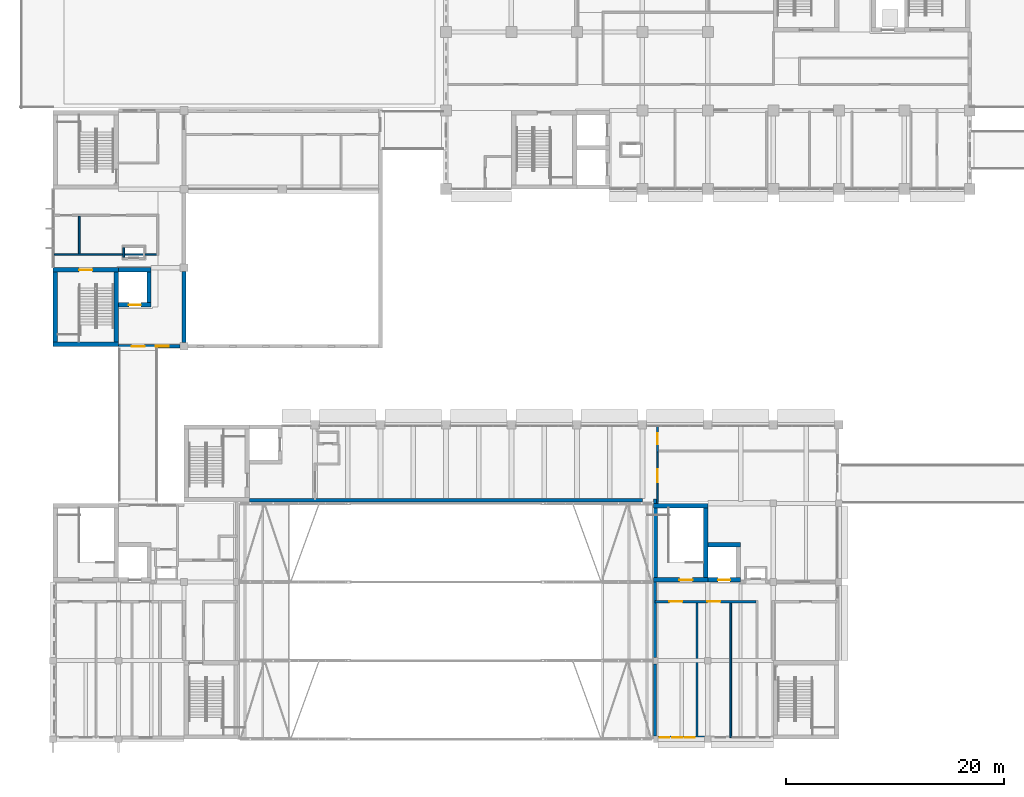
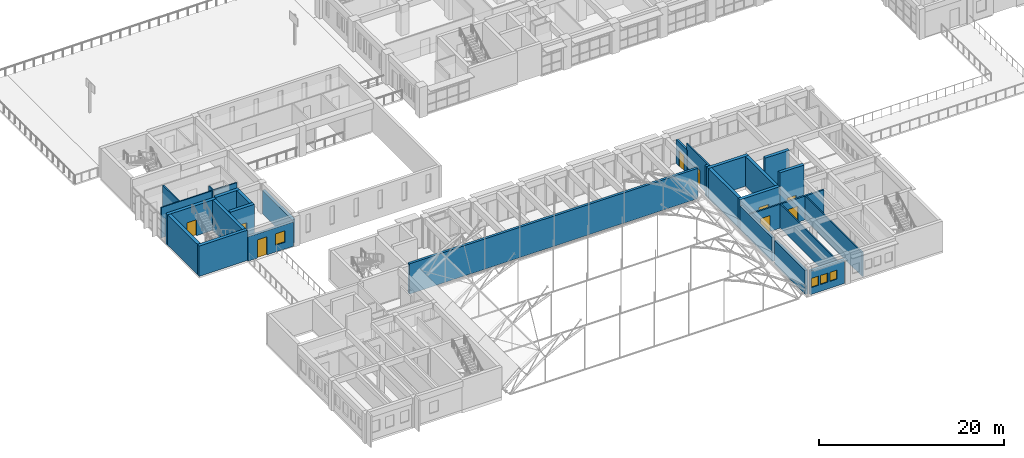
# One storey, part 71 of 101: 28 walls, 9 doors, 4 windows, 13 openings.
"""IFC4 building model written with IfcOpenShell, lengths in metres."""

from ifc_helpers import new_model, si_unit, direction, frame, frame_2d, origin, place, context, subcontext, project, spatial, rectangle, extrude, material, layer, layer_set, type_object, element, fill, save


model = new_model("IFC4")

# Units and contexts
model_context = context("Model", 3, precision=1e-05, world=origin(), true_north=direction((0.0, 1.0)))
body_context = subcontext(model_context, "Body", "Model", "MODEL_VIEW")
ifc_project = project(units=[si_unit("LENGTHUNIT", "METRE"), si_unit("AREAUNIT", "SQUARE_METRE"), si_unit("VOLUMEUNIT", "CUBIC_METRE"), si_unit("PLANEANGLEUNIT", "RADIAN"), si_unit("MASSUNIT", "GRAM", prefix="KILO")], contexts=[model_context])

# Site, building, storey
site_placement = place(None, origin())
site = spatial("IfcSite", under=ifc_project, at=site_placement, CompositionType="ELEMENT")
building_placement = place(site_placement, origin())
building = spatial("IfcBuilding", under=site, at=building_placement, Name="Laocheng Heights Fire and Rescue Headquarters", CompositionType="ELEMENT")
storey_placement = place(building_placement, frame((0.0, 0.0, 8.39990234375)))
storey = spatial("IfcBuildingStorey", under=building, at=storey_placement, Name="L02", CompositionType="ELEMENT", Elevation=8.39990234375)

# Walls
ifc_material_1 = material(Name="Gypsum plaster")
ifc_layer_1 = layer(ifc_material_1, 0.010009765625, Name="PLASTER", Category="plaster")
ifc_material_2 = material(Name="Concrete blockwork MU10", Category="masonry")
ifc_layer_2 = layer(ifc_material_2, 0.1298828125, Name="BLOCKWORK", Category="masonry")
ifc_layer_3 = layer(ifc_material_1, 0.010009765625, Name="PLASTER", Category="plaster")
ifc_layer_set_1 = layer_set([ifc_layer_1, ifc_layer_2, ifc_layer_3], Name="Concrete blockwork MU10")
wall_type_1 = type_object("IfcWallType", Name="BLOCKWORK CORRIDOR WALL 150 EI 60 PAVILION", PredefinedType="PARTITIONING", material=ifc_layer_set_1)
wall_1_placement = place(storey_placement, frame((2.39990234375, 44.47509765625, 0.0), z_axis=(0.0, 0.0, 1.0), x_axis=(0.0, 1.0, 0.0)))
element("IfcWall", 1, at=wall_1_placement, inside=storey, type_object=wall_type_1, Name="Partition L02-001", PredefinedType="PARTITIONING", context=body_context, shape_type="SweptSolid", body=[
    extrude(rectangle(XDim=3.449951171875, YDim=0.14990234375, at=frame_2d((1.72509765625, 0.0))), origin(), (0.0, 0.0, 1.0), 4.0),
])
wall_2_placement = place(storey_placement, frame((0.074951171875, 44.39990234375, 0.0), z_axis=(0.0, 0.0, 1.0), x_axis=(1.0, 0.0, 0.0)))
element("IfcWall", 2, at=wall_2_placement, inside=storey, type_object=wall_type_1, Name="Partition L02-006", PredefinedType="PARTITIONING", context=body_context, shape_type="SweptSolid", body=[
    extrude(rectangle(XDim=9.449951171875, YDim=0.14990234375, at=frame_2d((4.72509765625, 0.0))), origin(), (0.0, 0.0, 1.0), 4.0),
])

# Wall, openings, doors
ifc_material_3 = material(Name="Gypsum plaster")
ifc_layer_4 = layer(ifc_material_3, 0.010009765625, Name="PLASTER", Category="plaster")
ifc_material_4 = material(Name="Concrete blockwork MU10", Category="masonry")
ifc_layer_5 = layer(ifc_material_4, 0.179931640625, Name="BLOCKWORK", Category="masonry")
ifc_layer_6 = layer(ifc_material_3, 0.010009765625, Name="PLASTER", Category="plaster")
ifc_layer_set_2 = layer_set([ifc_layer_4, ifc_layer_5, ifc_layer_6], Name="Concrete blockwork MU10")
wall_type_2 = type_object("IfcWallType", Name="BLOCKWORK FIRE PARTITION 200 EI 60 BAY", PredefinedType="PARTITIONING", material=ifc_layer_set_2)
wall_3_placement = place(storey_placement, frame((55.14990234375, 12.60009765625, 0.0), z_axis=(0.0, 0.0, 1.0), x_axis=(1.0, 0.0, 0.0)))
wall_3 = element("IfcWall", 3, at=wall_3_placement, inside=storey, type_object=wall_type_2, Name="Partition L02-019", PredefinedType="PARTITIONING", context=body_context, shape_type="SweptSolid", body=[
    extrude(rectangle(XDim=9.25, YDim=0.199951171875, at=frame_2d((4.625, 0.0))), origin(), (0.0, 0.0, 1.0), 3.150146484375),
])
opening_1_placement = place(wall_3_placement, frame((1.324951171875, 0.0, 0.0)))
opening_1 = element("IfcOpeningElement", 4, at=opening_1_placement, cuts=wall_3, Name="Opening L02-I09", PredefinedType="OPENING", context=body_context, shape_type="SweptSolid", body=[
    extrude(rectangle(XDim=1.199951171875, YDim=2.10009765625, at=frame_2d((0.60009765625, 1.050048828125))), frame((0.0, 0.10986328125, 0.0), z_axis=(0.0, -1.0, 0.0), x_axis=(1.0, 0.0, 0.0)), (0.0, 0.0, 1.0), 0.219970703125),
])
opening_2_placement = place(wall_3_placement, frame((4.800048828125, 0.0, 0.0)))
opening_2 = element("IfcOpeningElement", 5, at=opening_2_placement, cuts=wall_3, Name="Opening L02-I10", PredefinedType="OPENING", context=body_context, shape_type="SweptSolid", body=[
    extrude(rectangle(XDim=1.199951171875, YDim=2.10009765625, at=frame_2d((0.60009765625, 1.050048828125))), frame((0.0, 0.10986328125, 0.0), z_axis=(0.0, -1.0, 0.0), x_axis=(1.0, 0.0, 0.0)), (0.0, 0.0, 1.0), 0.219970703125),
])
ifc_material_5 = material(Name="Steel door leaf, painted", Category="steel")
door_type_1 = type_object("IfcDoorType", Name="STEEL FIRE DOOR 1200x2100 EI 60 BAY", OperationType="SINGLE_SWING_LEFT", PredefinedType="DOOR", material=ifc_material_5)
door_1_placement = place(opening_1_placement, frame((1.199951171875, 0.0, 0.0), z_axis=(0.0, 0.0, 1.0), x_axis=(-1.0, 0.0, 0.0)))
door_1 = element("IfcDoor", 6, at=door_1_placement, inside=storey, type_object=door_type_1, Name="Door L02-I09", OperationType="SINGLE_SWING_RIGHT", OverallHeight=2.10009765625, OverallWidth=1.199951171875, PredefinedType="DOOR", context=body_context, shape_type="SweptSolid", body=[
    extrude(rectangle(XDim=1.199951171875, YDim=2.10009765625, at=frame_2d((0.60009765625, 1.050048828125))), frame((0.0, 0.02490234375, 0.0), z_axis=(0.0, -1.0, 0.0), x_axis=(1.0, 0.0, 0.0)), (0.0, 0.0, 1.0), 0.050048828125),
])
fill(opening_1, door_1)
door_2_placement = place(opening_2_placement, frame((1.199951171875, 0.0, 0.0), z_axis=(0.0, 0.0, 1.0), x_axis=(-1.0, 0.0, 0.0)))
door_2 = element("IfcDoor", 7, at=door_2_placement, inside=storey, type_object=door_type_1, Name="Door L02-I10", OperationType="SINGLE_SWING_RIGHT", OverallHeight=2.10009765625, OverallWidth=1.199951171875, PredefinedType="DOOR", context=body_context, shape_type="SweptSolid", body=[
    extrude(rectangle(XDim=1.199951171875, YDim=2.10009765625, at=frame_2d((0.60009765625, 1.050048828125))), frame((0.0, 0.02490234375, 0.0), z_axis=(0.0, -1.0, 0.0), x_axis=(1.0, 0.0, 0.0)), (0.0, 0.0, 1.0), 0.050048828125),
])
fill(opening_2, door_2)

# Wall, opening, door
ifc_material_6 = material(Name="Gypsum plaster")
ifc_layer_7 = layer(ifc_material_6, 0.010009765625, Name="PLASTER", Category="plaster")
ifc_material_7 = material(Name="Concrete blockwork MU10", Category="masonry")
ifc_layer_8 = layer(ifc_material_7, 0.179931640625, Name="BLOCKWORK", Category="masonry")
ifc_layer_9 = layer(ifc_material_6, 0.010009765625, Name="PLASTER", Category="plaster")
ifc_layer_set_3 = layer_set([ifc_layer_7, ifc_layer_8, ifc_layer_9], Name="Concrete blockwork MU10")
wall_type_3 = type_object("IfcWallType", Name="BLOCKWORK FIRE PARTITION 200 EI 60 GALLERY", PredefinedType="PARTITIONING", material=ifc_layer_set_3)
wall_4_placement = place(storey_placement, frame((55.375, 26.300048828125, 0.0), z_axis=(0.0, 0.0, 1.0), x_axis=(0.0, 1.0, 0.0)))
wall_4 = element("IfcWall", 8, at=wall_4_placement, inside=storey, type_object=wall_type_3, Name="Partition L02-005", PredefinedType="PARTITIONING", context=body_context, shape_type="SweptSolid", body=[
    extrude(rectangle(XDim=2.349853515625, YDim=0.199951171875, at=frame_2d((1.1748046875, 0.0))), origin(), (0.0, 0.0, 1.0), 3.2001953125),
])
opening_3_placement = place(wall_4_placement, frame((0.72509765625, 0.0, 0.0)))
opening_3 = element("IfcOpeningElement", 9, at=opening_3_placement, cuts=wall_4, Name="Opening L02-M03", PredefinedType="OPENING", context=body_context, shape_type="SweptSolid", body=[
    extrude(rectangle(XDim=1.0, YDim=2.10009765625, at=frame_2d((0.5, 1.050048828125))), frame((0.0, 0.10986328125, 0.0), z_axis=(0.0, -1.0, 0.0), x_axis=(1.0, 0.0, 0.0)), (0.0, 0.0, 1.0), 0.219970703125),
])
ifc_material_8 = material(Name="Steel door leaf, painted", Category="steel")
door_type_2 = type_object("IfcDoorType", Name="STEEL FIRE DOOR 1000x2100 EI 60 GALLERY", OperationType="SINGLE_SWING_LEFT", PredefinedType="DOOR", material=ifc_material_8)
door_3_placement = place(opening_3_placement, frame((1.0, 0.0, 0.0), z_axis=(0.0, 0.0, 1.0), x_axis=(-1.0, 0.0, 0.0)))
door_3 = element("IfcDoor", 10, at=door_3_placement, inside=storey, type_object=door_type_2, Name="Door L02-M03", OperationType="SINGLE_SWING_RIGHT", OverallHeight=2.10009765625, OverallWidth=1.0, PredefinedType="DOOR", context=body_context, shape_type="SweptSolid", body=[
    extrude(rectangle(XDim=1.0, YDim=2.10009765625, at=frame_2d((0.5, 1.050048828125))), frame((0.0, 0.02490234375, 0.0), z_axis=(0.0, -1.0, 0.0), x_axis=(1.0, 0.0, 0.0)), (0.0, 0.0, 1.0), 0.050048828125),
])
fill(opening_3, door_3)

# Walls
ifc_material_9 = material(Name="Gypsum plaster")
ifc_layer_10 = layer(ifc_material_9, 0.010009765625, Name="PLASTER", Category="plaster")
ifc_material_10 = material(Name="Concrete blockwork MU10", Category="masonry")
ifc_layer_11 = layer(ifc_material_10, 0.1298828125, Name="BLOCKWORK", Category="masonry")
ifc_layer_12 = layer(ifc_material_9, 0.010009765625, Name="PLASTER", Category="plaster")
ifc_layer_set_4 = layer_set([ifc_layer_10, ifc_layer_11, ifc_layer_12], Name="Concrete blockwork MU10")
wall_type_4 = type_object("IfcWallType", Name="BLOCKWORK PARTITION 150 EI 45 BAY", PredefinedType="PARTITIONING", material=ifc_layer_set_4)
for number, where, z_axis, x_axis, name in (
    (11, (59.0, 0.14990234375, 0.0), (0.0, 0.0, 1.0), (0.0, 1.0, 0.0), "Partition L02-010"),
    (12, (62.10009765625, 0.14990234375, 0.0), (0.0, 0.0, 1.0), (0.0, 1.0, 0.0), "Partition L02-011"),
):
    element("IfcWall", number, at=place(storey_placement, frame(where, z_axis=z_axis, x_axis=x_axis)), inside=storey, type_object=wall_type_4, Name=name, PredefinedType="PARTITIONING", context=body_context, shape_type="SweptSolid", body=[
        extrude(rectangle(XDim=12.35009765625, YDim=0.14990234375, at=frame_2d((6.175048828125, 0.0))), origin(), (0.0, 0.0, 1.0), 3.150146484375),
    ])

# Wall, opening, door
ifc_material_11 = material(Name="Gypsum plaster")
ifc_layer_13 = layer(ifc_material_11, 0.010009765625, Name="PLASTER", Category="plaster")
ifc_material_12 = material(Name="Concrete blockwork MU10", Category="masonry")
ifc_layer_14 = layer(ifc_material_12, 0.1298828125, Name="BLOCKWORK", Category="masonry")
ifc_layer_15 = layer(ifc_material_11, 0.010009765625, Name="PLASTER", Category="plaster")
ifc_layer_set_5 = layer_set([ifc_layer_13, ifc_layer_14, ifc_layer_15], Name="Concrete blockwork MU10")
wall_type_5 = type_object("IfcWallType", Name="BLOCKWORK PARTITION 150 EI 45 GALLERY", PredefinedType="PARTITIONING", material=ifc_layer_set_5)
wall_5_placement = place(storey_placement, frame((55.375, 21.60009765625, 0.0), z_axis=(0.0, 0.0, 1.0), x_axis=(0.0, 1.0, 0.0)))
wall_5 = element("IfcWall", 13, at=wall_5_placement, inside=storey, type_object=wall_type_5, Name="Partition L02-004", PredefinedType="PARTITIONING", context=body_context, shape_type="SweptSolid", body=[
    extrude(rectangle(XDim=4.89990234375, YDim=0.14990234375, at=frame_2d((2.449951171875, 0.0))), origin(), (0.0, 0.0, 1.0), 4.0),
])
opening_4_placement = place(wall_5_placement, frame((1.949951171875, 0.0, 0.0)))
opening_4 = element("IfcOpeningElement", 14, at=opening_4_placement, cuts=wall_5, Name="Opening L02-M02", PredefinedType="OPENING", context=body_context, shape_type="SweptSolid", body=[
    extrude(rectangle(XDim=1.199951171875, YDim=2.10009765625, at=frame_2d((0.60009765625, 1.050048828125))), frame((0.0, 0.0849609375, 0.0), z_axis=(0.0, -1.0, 0.0), x_axis=(1.0, 0.0, 0.0)), (0.0, 0.0, 1.0), 0.169921875),
])
ifc_material_13 = material(Name="Steel door leaf, painted", Category="steel")
door_type_3 = type_object("IfcDoorType", Name="STEEL FIRE DOOR 1200x2100 EI 45 GALLERY", OperationType="SINGLE_SWING_LEFT", PredefinedType="DOOR", material=ifc_material_13)
door_4_placement = place(opening_4_placement, frame((1.199951171875, 0.0, 0.0), z_axis=(0.0, 0.0, 1.0), x_axis=(-1.0, 0.0, 0.0)))
door_4 = element("IfcDoor", 15, at=door_4_placement, inside=storey, type_object=door_type_3, Name="Door L02-M02", OperationType="SINGLE_SWING_LEFT", OverallHeight=2.10009765625, OverallWidth=1.199951171875, PredefinedType="DOOR", context=body_context, shape_type="SweptSolid", body=[
    extrude(rectangle(XDim=1.199951171875, YDim=2.10009765625, at=frame_2d((0.60009765625, 1.050048828125))), frame((0.0, 0.02490234375, 0.0), z_axis=(0.0, -1.0, 0.0), x_axis=(1.0, 0.0, 0.0)), (0.0, 0.0, 1.0), 0.050048828125),
])
fill(opening_4, door_4)

# Wall, openings, windows
ifc_material_14 = material(Name="Precast concrete C40/50", Category="concrete")
ifc_layer_16 = layer(ifc_material_14, 0.300048828125)
ifc_layer_set_6 = layer_set([ifc_layer_16], Name="Precast concrete C40/50")
wall_type_6 = type_object("IfcWallType", Name="PRECAST PANEL WALL 300 EAST FLANK", PredefinedType="SOLIDWALL", material=ifc_layer_set_6)
wall_6_placement = place(storey_placement, frame((55.449951171875, 0.14990234375, 0.0), z_axis=(0.0, 0.0, 1.0), x_axis=(1.0, 0.0, 0.0)))
wall_6 = element("IfcWall", 16, at=wall_6_placement, inside=storey, type_object=wall_type_6, Name="Flank E wall L02", PredefinedType="SOLIDWALL", context=body_context, shape_type="SweptSolid", body=[
    extrude(rectangle(XDim=4.25, YDim=0.300048828125, at=frame_2d((2.125, 0.0))), origin(), (0.0, 0.0, 1.0), 3.150146484375),
])
opening_5_placement = place(wall_6_placement, frame((0.129150390625, 0.0, 0.89990234375)))
opening_5 = element("IfcOpeningElement", 17, at=opening_5_placement, cuts=wall_6, Name="Opening N2-E", PredefinedType="OPENING", context=body_context, shape_type="SweptSolid", body=[
    extrude(rectangle(XDim=0.89990234375, YDim=1.199951171875, at=frame_2d((0.449951171875, 0.60009765625))), frame((0.0, 0.159912109375, 0.0), z_axis=(0.0, -1.0, 0.0), x_axis=(1.0, 0.0, 0.0)), (0.0, 0.0, 1.0), 0.320068359375),
])
opening_6_placement = place(wall_6_placement, frame((1.28759765625, 0.0, 0.89990234375)))
opening_6 = element("IfcOpeningElement", 18, at=opening_6_placement, cuts=wall_6, Name="Opening N2-E", PredefinedType="OPENING", context=body_context, shape_type="SweptSolid", body=[
    extrude(rectangle(XDim=0.89990234375, YDim=1.199951171875, at=frame_2d((0.449951171875, 0.60009765625))), frame((0.0, 0.159912109375, 0.0), z_axis=(0.0, -1.0, 0.0), x_axis=(1.0, 0.0, 0.0)), (0.0, 0.0, 1.0), 0.320068359375),
])
opening_7_placement = place(wall_6_placement, frame((2.44580078125, 0.0, 0.89990234375)))
opening_7 = element("IfcOpeningElement", 19, at=opening_7_placement, cuts=wall_6, Name="Opening N2-E", PredefinedType="OPENING", context=body_context, shape_type="SweptSolid", body=[
    extrude(rectangle(XDim=0.89990234375, YDim=1.199951171875, at=frame_2d((0.449951171875, 0.60009765625))), frame((0.0, 0.159912109375, 0.0), z_axis=(0.0, -1.0, 0.0), x_axis=(1.0, 0.0, 0.0)), (0.0, 0.0, 1.0), 0.320068359375),
])
ifc_material_15 = material(Name="Low-e double glazing in thermally broken aluminium frame", Category="aluminium")
window_type_1 = type_object("IfcWindowType", Name="PUNCHED WINDOW STEEL FRAME 900 x 1200 SILL 900", PartitioningType="SINGLE_PANEL", PredefinedType="WINDOW", material=ifc_material_15)
window_1_placement = place(opening_5_placement, origin())
window_1 = element("IfcWindow", 20, at=window_1_placement, inside=storey, type_object=window_type_1, Name="Flank_E window L02", OverallHeight=1.199951171875, OverallWidth=0.89990234375, PartitioningType="SINGLE_PANEL", PredefinedType="WINDOW", context=body_context, shape_type="SweptSolid", body=[
    extrude(rectangle(XDim=0.89990234375, YDim=1.199951171875, at=frame_2d((0.449951171875, 0.60009765625))), frame((0.0, 0.030029296875, 0.0), z_axis=(0.0, -1.0, 0.0), x_axis=(1.0, 0.0, 0.0)), (0.0, 0.0, 1.0), 0.06005859375),
])
fill(opening_5, window_1)
window_2_placement = place(opening_6_placement, origin())
window_2 = element("IfcWindow", 21, at=window_2_placement, inside=storey, type_object=window_type_1, Name="Flank_E window L02", OverallHeight=1.199951171875, OverallWidth=0.89990234375, PartitioningType="SINGLE_PANEL", PredefinedType="WINDOW", context=body_context, shape_type="SweptSolid", body=[
    extrude(rectangle(XDim=0.89990234375, YDim=1.199951171875, at=frame_2d((0.449951171875, 0.60009765625))), frame((0.0, 0.030029296875, 0.0), z_axis=(0.0, -1.0, 0.0), x_axis=(1.0, 0.0, 0.0)), (0.0, 0.0, 1.0), 0.06005859375),
])
fill(opening_6, window_2)
window_3_placement = place(opening_7_placement, origin())
window_3 = element("IfcWindow", 22, at=window_3_placement, inside=storey, type_object=window_type_1, Name="Flank_E window L02", OverallHeight=1.199951171875, OverallWidth=0.89990234375, PartitioningType="SINGLE_PANEL", PredefinedType="WINDOW", context=body_context, shape_type="SweptSolid", body=[
    extrude(rectangle(XDim=0.89990234375, YDim=1.199951171875, at=frame_2d((0.449951171875, 0.60009765625))), frame((0.0, 0.030029296875, 0.0), z_axis=(0.0, -1.0, 0.0), x_axis=(1.0, 0.0, 0.0)), (0.0, 0.0, 1.0), 0.06005859375),
])
fill(opening_7, window_3)

# Walls
wall_7_placement = place(storey_placement, frame((55.14990234375, 0.300048828125, 0.0), z_axis=(0.0, 0.0, 1.0), x_axis=(0.0, 1.0, 0.0)))
element("IfcWall", 23, at=wall_7_placement, inside=storey, type_object=wall_type_6, Name="Flank E wall L02", PredefinedType="SOLIDWALL", context=body_context, shape_type="SweptSolid", body=[
    extrude(rectangle(XDim=6.599853515625, YDim=0.300048828125, at=frame_2d((3.2998046875, 0.0))), origin(), (0.0, 0.0, 1.0), 3.150146484375),
])
wall_8_placement = place(storey_placement, frame((55.14990234375, 7.5, 0.0), z_axis=(0.0, 0.0, 1.0), x_axis=(0.0, 1.0, 0.0)))
element("IfcWall", 24, at=wall_8_placement, inside=storey, type_object=wall_type_6, Name="Flank E wall L02", PredefinedType="SOLIDWALL", context=body_context, shape_type="SweptSolid", body=[
    extrude(rectangle(XDim=6.89990234375, YDim=0.300048828125, at=frame_2d((3.449951171875, 0.0))), origin(), (0.0, 0.0, 1.0), 3.150146484375),
])
wall_9_placement = place(storey_placement, frame((55.14990234375, 21.60009765625, 0.0), z_axis=(0.0, 0.0, 1.0), x_axis=(0.0, 1.0, 0.0)))
element("IfcWall", 25, at=wall_9_placement, inside=storey, type_object=wall_type_6, Name="Flank E wall L02", PredefinedType="SOLIDWALL", context=body_context, shape_type="SweptSolid", body=[
    extrude(rectangle(XDim=0.39990234375, YDim=0.300048828125, at=frame_2d((0.199951171875, 0.0))), origin(), (0.0, 0.0, 1.0), 3.9501953125),
])

# Wall, openings, door, window
ifc_material_16 = material(Name="Precast concrete C40/50", Category="concrete")
ifc_layer_17 = layer(ifc_material_16, 0.300048828125)
ifc_layer_set_7 = layer_set([ifc_layer_17], Name="Precast concrete C40/50")
wall_type_7 = type_object("IfcWallType", Name="PRECAST WALL PANEL FOYER 300", PredefinedType="SOLIDWALL", material=ifc_layer_set_7)
wall_10_placement = place(storey_placement, frame((6.0, 36.0, 0.0), z_axis=(0.0, 0.0, 1.0), x_axis=(1.0, 0.0, 0.0)))
wall_10 = element("IfcWall", 26, at=wall_10_placement, inside=storey, type_object=wall_type_7, Name="PRECAST WALL PANEL FOYER FOYER SOUTH L02", PredefinedType="SOLIDWALL", context=body_context, shape_type="SweptSolid", body=[
    extrude(rectangle(XDim=5.64990234375, YDim=0.300048828125, at=frame_2d((2.824951171875, 0.0))), origin(), (0.0, 0.0, 1.0), 3.2001953125),
])
opening_8_placement = place(wall_10_placement, frame((1.199951171875, 0.0, 0.0)))
opening_8 = element("IfcOpeningElement", 27, at=opening_8_placement, cuts=wall_10, Name="Opening L02-V01", PredefinedType="OPENING", context=body_context, shape_type="SweptSolid", body=[
    extrude(rectangle(XDim=1.199951171875, YDim=2.39990234375, at=frame_2d((0.60009765625, 1.199951171875))), frame((0.0, 0.159912109375, 0.0), z_axis=(0.0, -1.0, 0.0), x_axis=(1.0, 0.0, 0.0)), (0.0, 0.0, 1.0), 0.320068359375),
])
opening_9_placement = place(wall_10_placement, frame((3.425048828125, 0.0, 0.89990234375)))
opening_9 = element("IfcOpeningElement", 28, at=opening_9_placement, cuts=wall_10, Name="Opening N1-V", PredefinedType="OPENING", context=body_context, shape_type="SweptSolid", body=[
    extrude(rectangle(XDim=1.199951171875, YDim=1.5, at=frame_2d((0.60009765625, 0.75))), frame((0.0, 0.159912109375, 0.0), z_axis=(0.0, -1.0, 0.0), x_axis=(1.0, 0.0, 0.0)), (0.0, 0.0, 1.0), 0.320068359375),
])
ifc_material_17 = material(Name="Dark anodised aluminium framed glazed door, low-e glazing", Category="aluminium")
door_type_4 = type_object("IfcDoorType", Name="FOYER BRIDGE DOOR 1200 x 2400", OperationType="SINGLE_SWING_LEFT", PredefinedType="DOOR", material=ifc_material_17)
door_5_placement = place(opening_8_placement, frame((1.199951171875, 0.0, 0.0), z_axis=(0.0, 0.0, 1.0), x_axis=(-1.0, 0.0, 0.0)))
door_5 = element("IfcDoor", 29, at=door_5_placement, inside=storey, type_object=door_type_4, Name="FOYER BRIDGE DOOR FOYER SOUTH L02", OperationType="SINGLE_SWING_RIGHT", OverallHeight=2.39990234375, OverallWidth=1.199951171875, PredefinedType="DOOR", context=body_context, shape_type="SweptSolid", body=[
    extrude(rectangle(XDim=1.199951171875, YDim=2.39990234375, at=frame_2d((0.60009765625, 1.199951171875))), frame((0.0, 0.02490234375, 0.0), z_axis=(0.0, -1.0, 0.0), x_axis=(1.0, 0.0, 0.0)), (0.0, 0.0, 1.0), 0.050048828125),
])
fill(opening_8, door_5)
ifc_material_18 = material(Name="Low-e double glazing in aluminium frame", Category="aluminium")
window_type_2 = type_object("IfcWindowType", Name="WINDOW 1200 x 1500 FOYER ALUMINIUM", PartitioningType="SINGLE_PANEL", PredefinedType="WINDOW", material=ifc_material_18)
window_4_placement = place(opening_9_placement, origin())
window_4 = element("IfcWindow", 30, at=window_4_placement, inside=storey, type_object=window_type_2, Name="FOYER ALUMINIUM FOYER SOUTH L02", OverallHeight=1.5, OverallWidth=1.199951171875, PartitioningType="SINGLE_PANEL", PredefinedType="WINDOW", context=body_context, shape_type="SweptSolid", body=[
    extrude(rectangle(XDim=1.199951171875, YDim=1.5, at=frame_2d((0.60009765625, 0.75))), frame((0.0, 0.030029296875, 0.0), z_axis=(0.0, -1.0, 0.0), x_axis=(1.0, 0.0, 0.0)), (0.0, 0.0, 1.0), 0.06005859375),
])
fill(opening_9, window_4)

# Wall, opening, door
ifc_material_19 = material(Name="Concrete C50", Category="concrete")
ifc_layer_18 = layer(ifc_material_19, 0.39990234375)
ifc_layer_set_8 = layer_set([ifc_layer_18], Name="Concrete C50")
wall_type_8 = type_object("IfcWallType", Name="RC LIFT SHAFT WALL 400", PredefinedType="SHEAR", material=ifc_layer_set_8)
wall_11_placement = place(storey_placement, frame((60.0, 14.60009765625, 0.0), z_axis=(0.0, 0.0, 1.0), x_axis=(1.0, 0.0, 0.0)))
wall_11 = element("IfcWall", 31, at=wall_11_placement, inside=storey, type_object=wall_type_8, Name="Lift shaft wall", PredefinedType="SHEAR", context=body_context, shape_type="SweptSolid", body=[
    extrude(rectangle(XDim=3.0, YDim=0.39990234375, at=frame_2d((1.5, 0.0))), origin(), (0.0, 0.0, 1.0), 5.75),
])
opening_10_placement = place(wall_11_placement, frame((0.949951171875, 0.0, 0.0)))
opening_10 = element("IfcOpeningElement", 32, at=opening_10_placement, cuts=wall_11, Name="Opening L02-K06", PredefinedType="OPENING", context=body_context, shape_type="SweptSolid", body=[
    extrude(rectangle(XDim=1.10009765625, YDim=2.10009765625, at=frame_2d((0.550048828125, 1.050048828125))), frame((0.0, 0.2099609375, 0.0), z_axis=(0.0, -1.0, 0.0), x_axis=(1.0, 0.0, 0.0)), (0.0, 0.0, 1.0), 0.419921875),
])
ifc_material_20 = material(Name="Stainless steel", Category="steel")
door_type_5 = type_object("IfcDoorType", Name="LANDING DOOR E-L1 SLIDING 1100x2100 E 120", OperationType="DOUBLE_DOOR_SLIDING", PredefinedType="DOOR", material=ifc_material_20)
door_6_placement = place(opening_10_placement, origin())
door_6 = element("IfcDoor", 33, at=door_6_placement, inside=storey, type_object=door_type_5, Name="Landing door E-L1", OperationType="DOUBLE_DOOR_SLIDING", OverallHeight=2.10009765625, OverallWidth=1.10009765625, PredefinedType="DOOR", context=body_context, shape_type="SweptSolid", body=[
    extrude(rectangle(XDim=1.10009765625, YDim=2.10009765625, at=frame_2d((0.550048828125, 1.050048828125))), frame((0.0, 0.02490234375, 0.0), z_axis=(0.0, -1.0, 0.0), x_axis=(1.0, 0.0, 0.0)), (0.0, 0.0, 1.0), 0.050048828125),
])
fill(opening_10, door_6)

# Wall
wall_12_placement = place(storey_placement, frame((60.0, 17.800048828125, 0.0), z_axis=(0.0, 0.0, 1.0), x_axis=(1.0, 0.0, 0.0)))
element("IfcWall", 34, at=wall_12_placement, inside=storey, type_object=wall_type_8, Name="Lift shaft wall", PredefinedType="SHEAR", context=body_context, shape_type="SweptSolid", body=[
    extrude(rectangle(XDim=3.0, YDim=0.39990234375, at=frame_2d((1.5, 0.0))), origin(), (0.0, 0.0, 1.0), 5.75),
])

# Wall, opening, door
wall_13_placement = place(storey_placement, frame((6.0, 39.800048828125, 0.0), z_axis=(0.0, 0.0, 1.0), x_axis=(1.0, 0.0, 0.0)))
wall_13 = element("IfcWall", 35, at=wall_13_placement, inside=storey, type_object=wall_type_8, Name="Lift shaft wall", PredefinedType="SHEAR", context=body_context, shape_type="SweptSolid", body=[
    extrude(rectangle(XDim=3.0, YDim=0.39990234375, at=frame_2d((1.5, 0.0))), origin(), (0.0, 0.0, 1.0), 4.2001953125),
])
opening_11_placement = place(wall_13_placement, frame((0.949951171875, 0.0, 0.0)))
opening_11 = element("IfcOpeningElement", 36, at=opening_11_placement, cuts=wall_13, Name="Opening L02-K13", PredefinedType="OPENING", context=body_context, shape_type="SweptSolid", body=[
    extrude(rectangle(XDim=1.10009765625, YDim=2.10009765625, at=frame_2d((0.550048828125, 1.050048828125))), frame((0.0, 0.2099609375, 0.0), z_axis=(0.0, -1.0, 0.0), x_axis=(1.0, 0.0, 0.0)), (0.0, 0.0, 1.0), 0.419921875),
])
ifc_material_21 = material(Name="Stainless steel", Category="steel")
door_type_6 = type_object("IfcDoorType", Name="LANDING DOOR P-L1 SLIDING 1100x2100 E 120", OperationType="DOUBLE_DOOR_SLIDING", PredefinedType="DOOR", material=ifc_material_21)
door_7_placement = place(opening_11_placement, origin())
door_7 = element("IfcDoor", 37, at=door_7_placement, inside=storey, type_object=door_type_6, Name="Landing door P-L1", OperationType="DOUBLE_DOOR_SLIDING", OverallHeight=2.10009765625, OverallWidth=1.10009765625, PredefinedType="DOOR", context=body_context, shape_type="SweptSolid", body=[
    extrude(rectangle(XDim=1.10009765625, YDim=2.10009765625, at=frame_2d((0.550048828125, 1.050048828125))), frame((0.0, 0.02490234375, 0.0), z_axis=(0.0, -1.0, 0.0), x_axis=(1.0, 0.0, 0.0)), (0.0, 0.0, 1.0), 0.050048828125),
])
fill(opening_11, door_7)

# Walls
wall_14_placement = place(storey_placement, frame((6.0, 43.0, 0.0), z_axis=(0.0, 0.0, 1.0), x_axis=(1.0, 0.0, 0.0)))
element("IfcWall", 38, at=wall_14_placement, inside=storey, type_object=wall_type_8, Name="Lift shaft wall", PredefinedType="SHEAR", context=body_context, shape_type="SweptSolid", body=[
    extrude(rectangle(XDim=3.0, YDim=0.39990234375, at=frame_2d((1.5, 0.0))), origin(), (0.0, 0.0, 1.0), 4.2001953125),
])
wall_15_placement = place(storey_placement, frame((8.800048828125, 40.0, 0.0), z_axis=(0.0, 0.0, 1.0), x_axis=(0.0, 1.0, 0.0)))
element("IfcWall", 39, at=wall_15_placement, inside=storey, type_object=wall_type_8, Name="Lift shaft wall", PredefinedType="SHEAR", context=body_context, shape_type="SweptSolid", body=[
    extrude(rectangle(XDim=2.800048828125, YDim=0.39990234375, at=frame_2d((1.39990234375, 0.0))), origin(), (0.0, 0.0, 1.0), 4.2001953125),
])
ifc_material_22 = material(Name="Concrete C40", Category="concrete")
ifc_layer_19 = layer(ifc_material_22, 0.35009765625)
ifc_layer_set_9 = layer_set([ifc_layer_19], Name="Concrete C40")
wall_type_9 = type_object("IfcWallType", Name="RC SHEAR WALL 350 THEATRE", PredefinedType="SHEAR", material=ifc_layer_set_9)
wall_16_placement = place(storey_placement, frame((12.0, 36.35009765625, 0.0), z_axis=(0.0, 0.0, 1.0), x_axis=(0.0, 1.0, 0.0)))
element("IfcWall", 40, at=wall_16_placement, inside=storey, type_object=wall_type_9, Name="Theatre west wall L02", PredefinedType="SHEAR", context=body_context, shape_type="SweptSolid", body=[
    extrude(rectangle(XDim=6.5, YDim=0.35009765625, at=frame_2d((3.25, 0.0))), origin(), (0.0, 0.0, 1.0), 3.10009765625),
])

# Wall, opening, door
ifc_material_23 = material(Name="Concrete C50", Category="concrete")
ifc_layer_20 = layer(ifc_material_23, 0.39990234375)
ifc_layer_set_10 = layer_set([ifc_layer_20], Name="Concrete C50")
wall_type_10 = type_object("IfcWallType", Name="RC STAIR ENCLOSURE WALL 400", PredefinedType="SHEAR", material=ifc_layer_set_10)
wall_17_placement = place(storey_placement, frame((55.0, 14.60009765625, 0.0), z_axis=(0.0, 0.0, 1.0), x_axis=(1.0, 0.0, 0.0)))
wall_17 = element("IfcWall", 41, at=wall_17_placement, inside=storey, type_object=wall_type_10, Name="Stair enclosure wall", PredefinedType="SHEAR", context=body_context, shape_type="SweptSolid", body=[
    extrude(rectangle(XDim=5.0, YDim=0.39990234375, at=frame_2d((2.5, 0.0))), origin(), (0.0, 0.0, 1.0), 3.9501953125),
])
opening_12_placement = place(wall_17_placement, frame((2.39990234375, 0.0, 0.0)))
opening_12 = element("IfcOpeningElement", 42, at=opening_12_placement, cuts=wall_17, Name="Opening L02-K05", PredefinedType="OPENING", context=body_context, shape_type="SweptSolid", body=[
    extrude(rectangle(XDim=1.199951171875, YDim=2.10009765625, at=frame_2d((0.60009765625, 1.050048828125))), frame((0.0, 0.2099609375, 0.0), z_axis=(0.0, -1.0, 0.0), x_axis=(1.0, 0.0, 0.0)), (0.0, 0.0, 1.0), 0.419921875),
])
ifc_material_24 = material(Name="Painted steel", Category="steel")
door_type_7 = type_object("IfcDoorType", Name="FIRE DOOR 1200x2100 EI 60", OperationType="SINGLE_SWING_LEFT", PredefinedType="DOOR", material=ifc_material_24)
door_8_placement = place(opening_12_placement, origin())
door_8 = element("IfcDoor", 43, at=door_8_placement, inside=storey, type_object=door_type_7, Name="Stair E1 door", OperationType="SINGLE_SWING_RIGHT", OverallHeight=2.10009765625, OverallWidth=1.199951171875, PredefinedType="DOOR", context=body_context, shape_type="SweptSolid", body=[
    extrude(rectangle(XDim=1.199951171875, YDim=2.10009765625, at=frame_2d((0.60009765625, 1.050048828125))), frame((0.0, 0.02490234375, 0.0), z_axis=(0.0, -1.0, 0.0), x_axis=(1.0, 0.0, 0.0)), (0.0, 0.0, 1.0), 0.050048828125),
])
fill(opening_12, door_8)

# Walls
wall_18_placement = place(storey_placement, frame((55.0, 21.39990234375, 0.0), z_axis=(0.0, 0.0, 1.0), x_axis=(1.0, 0.0, 0.0)))
element("IfcWall", 44, at=wall_18_placement, inside=storey, type_object=wall_type_10, Name="Stair enclosure wall", PredefinedType="SHEAR", context=body_context, shape_type="SweptSolid", body=[
    extrude(rectangle(XDim=5.0, YDim=0.39990234375, at=frame_2d((2.5, 0.0))), origin(), (0.0, 0.0, 1.0), 3.9501953125),
])
for number, where, z_axis, x_axis, name in (
    (45, (55.199951171875, 14.800048828125, 0.0), (0.0, 0.0, 1.0), (0.0, 1.0, 0.0), "Stair enclosure wall"),
    (46, (59.800048828125, 14.800048828125, 0.0), (0.0, 0.0, 1.0), (0.0, 1.0, 0.0), "Stair enclosure wall"),
):
    element("IfcWall", number, at=place(storey_placement, frame(where, z_axis=z_axis, x_axis=x_axis)), inside=storey, type_object=wall_type_10, Name=name, PredefinedType="SHEAR", context=body_context, shape_type="SweptSolid", body=[
        extrude(rectangle(XDim=6.39990234375, YDim=0.39990234375, at=frame_2d((3.199951171875, 0.0))), origin(), (0.0, 0.0, 1.0), 3.9501953125),
    ])
wall_19_placement = place(storey_placement, frame((0.0, 36.199951171875, 0.0), z_axis=(0.0, 0.0, 1.0), x_axis=(1.0, 0.0, 0.0)))
element("IfcWall", 47, at=wall_19_placement, inside=storey, type_object=wall_type_10, Name="Stair enclosure wall", PredefinedType="SHEAR", context=body_context, shape_type="SweptSolid", body=[
    extrude(rectangle(XDim=6.0, YDim=0.39990234375, at=frame_2d((3.0, 0.0))), origin(), (0.0, 0.0, 1.0), 4.0),
])

# Wall, opening, door
wall_20_placement = place(storey_placement, frame((0.0, 43.0, 0.0), z_axis=(0.0, 0.0, 1.0), x_axis=(1.0, 0.0, 0.0)))
wall_20 = element("IfcWall", 48, at=wall_20_placement, inside=storey, type_object=wall_type_10, Name="Stair enclosure wall", PredefinedType="SHEAR", context=body_context, shape_type="SweptSolid", body=[
    extrude(rectangle(XDim=6.0, YDim=0.39990234375, at=frame_2d((3.0, 0.0))), origin(), (0.0, 0.0, 1.0), 4.0),
])
opening_13_placement = place(wall_20_placement, frame((2.39990234375, 0.0, 0.0)))
opening_13 = element("IfcOpeningElement", 49, at=opening_13_placement, cuts=wall_20, Name="Opening L02-K12", PredefinedType="OPENING", context=body_context, shape_type="SweptSolid", body=[
    extrude(rectangle(XDim=1.199951171875, YDim=2.10009765625, at=frame_2d((0.60009765625, 1.050048828125))), frame((0.0, 0.2099609375, 0.0), z_axis=(0.0, -1.0, 0.0), x_axis=(1.0, 0.0, 0.0)), (0.0, 0.0, 1.0), 0.419921875),
])
door_9_placement = place(opening_13_placement, frame((1.199951171875, 0.0, 0.0), z_axis=(0.0, 0.0, 1.0), x_axis=(-1.0, 0.0, 0.0)))
door_9 = element("IfcDoor", 50, at=door_9_placement, inside=storey, type_object=door_type_7, Name="Stair P1 door", OperationType="SINGLE_SWING_RIGHT", OverallHeight=2.10009765625, OverallWidth=1.199951171875, PredefinedType="DOOR", context=body_context, shape_type="SweptSolid", body=[
    extrude(rectangle(XDim=1.199951171875, YDim=2.10009765625, at=frame_2d((0.60009765625, 1.050048828125))), frame((0.0, 0.02490234375, 0.0), z_axis=(0.0, -1.0, 0.0), x_axis=(1.0, 0.0, 0.0)), (0.0, 0.0, 1.0), 0.050048828125),
])
fill(opening_13, door_9)

# Walls
for number, where, z_axis, x_axis, name in (
    (51, (0.199951171875, 36.39990234375, 0.0), (0.0, 0.0, 1.0), (0.0, 1.0, 0.0), "Stair enclosure wall"),
    (52, (5.800048828125, 36.39990234375, 0.0), (0.0, 0.0, 1.0), (0.0, 1.0, 0.0), "Stair enclosure wall"),
):
    element("IfcWall", number, at=place(storey_placement, frame(where, z_axis=z_axis, x_axis=x_axis)), inside=storey, type_object=wall_type_10, Name=name, PredefinedType="SHEAR", context=body_context, shape_type="SweptSolid", body=[
        extrude(rectangle(XDim=6.400146484375, YDim=0.39990234375, at=frame_2d((3.2001953125, 0.0))), origin(), (0.0, 0.0, 1.0), 4.0),
    ])
ifc_material_25 = material(Name="Concrete C40", Category="concrete")
ifc_layer_21 = layer(ifc_material_25, 0.300048828125)
ifc_layer_set_11 = layer_set([ifc_layer_21], Name="Concrete C40")
wall_type_11 = type_object("IfcWallType", Name="RC WALL 300 GALLERY SOUTH", PredefinedType="SOLIDWALL", material=ifc_layer_set_11)
wall_21_placement = place(storey_placement, frame((18.0, 21.89990234375, 0.0), z_axis=(0.0, 0.0, 1.0), x_axis=(1.0, 0.0, 0.0)))
element("IfcWall", 53, at=wall_21_placement, inside=storey, type_object=wall_type_11, Name="Gallery wall L02", PredefinedType="SOLIDWALL", context=body_context, shape_type="SweptSolid", body=[
    extrude(rectangle(XDim=36.0, YDim=0.300048828125, at=frame_2d((18.0, 0.0))), origin(), (0.0, 0.0, 1.0), 4.0),
])
ifc_material_26 = material(Name="Concrete C30", Category="concrete")
ifc_layer_22 = layer(ifc_material_26, 0.14990234375)
ifc_layer_set_12 = layer_set([ifc_layer_22], Name="Concrete C30")
wall_type_12 = type_object("IfcWallType", Name="RISER SHAFT WALL 150", PredefinedType="SOLIDWALL", material=ifc_layer_set_12)
wall_22_placement = place(storey_placement, frame((6.47509765625, 44.14990234375, 0.0), z_axis=(0.0, 0.0, 1.0), x_axis=(0.0, 1.0, 0.0)))
element("IfcWall", 54, at=wall_22_placement, inside=storey, type_object=wall_type_12, Name="Riser shaft wall", PredefinedType="SOLIDWALL", context=body_context, shape_type="SweptSolid", body=[
    extrude(rectangle(XDim=0.900146484375, YDim=0.14990234375, at=frame_2d((0.4501953125, 0.0))), origin(), (0.0, 0.0, 1.0), 4.2001953125),
])

save(model, "model.ifc")
